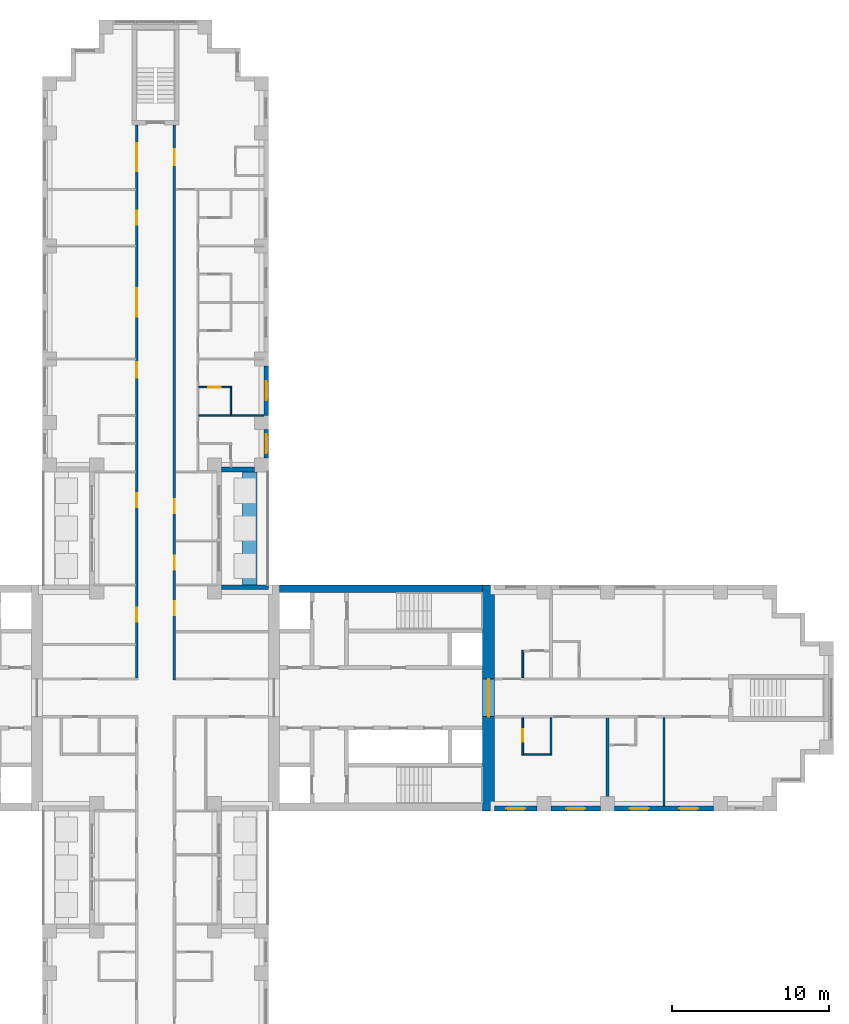
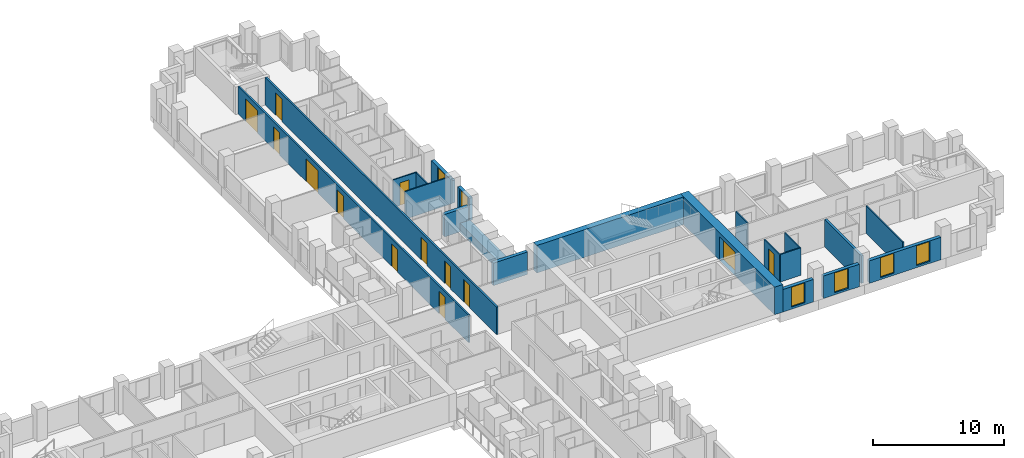
# One storey, part 9 of 15: 21 walls, 13 doors, 6 windows, 19 openings.
"""IFC4 building model written with IfcOpenShell, lengths in metres."""

from ifc_helpers import new_model, si_unit, direction, frame, frame_2d, origin, place, context, subcontext, project, spatial, rectangle, extrude, material, layer, layer_set, type_object, element, fill, save


model = new_model("IFC4")

# Units and contexts
model_context = context("Model", 3, precision=1e-05, world=origin(), true_north=direction((0.0, 1.0)))
body_context = subcontext(model_context, "Body", "Model", "MODEL_VIEW")
ifc_project = project(units=[si_unit("LENGTHUNIT", "METRE"), si_unit("AREAUNIT", "SQUARE_METRE"), si_unit("VOLUMEUNIT", "CUBIC_METRE"), si_unit("PLANEANGLEUNIT", "RADIAN"), si_unit("MASSUNIT", "GRAM", prefix="KILO")], contexts=[model_context])

# Site, building, storey
site_placement = place(None, origin())
site = spatial("IfcSite", under=ifc_project, at=site_placement, CompositionType="ELEMENT")
building_placement = place(site_placement, origin())
building = spatial("IfcBuilding", under=site, at=building_placement, Name="Fustian Cross Tower", CompositionType="ELEMENT")
storey_placement = place(building_placement, frame((0.0, 0.0, 38.699951171875)))
storey = spatial("IfcBuildingStorey", under=building, at=storey_placement, Name="L11", CompositionType="ELEMENT", Elevation=38.699951171875)

# Wall, openings, doors
ifc_material_1 = material(Name="Plasterboard on steel stud", Category="steel")
ifc_layer_1 = layer(ifc_material_1, 0.14990234375)
ifc_layer_set_1 = layer_set([ifc_layer_1], Name="Plasterboard on steel stud")
wall_type_1 = type_object("IfcWallType", Name="COMPARTMENT WALL 150 EI 60", PredefinedType="PARTITIONING", material=ifc_layer_set_1)
wall_1_placement = place(storey_placement, frame((-1.199951171875, 1.27490234375, 0.0), z_axis=(0.0, 0.0, 1.0), x_axis=(0.0, 1.0, 0.0)))
wall_1 = element("IfcWall", 1, at=wall_1_placement, inside=storey, type_object=wall_type_1, Name="Partition 39", PredefinedType="PARTITIONING", context=body_context, shape_type="SweptSolid", body=[
    extrude(rectangle(XDim=35.22509765625, YDim=0.14990234375, at=frame_2d((17.612548828125, 0.0))), origin(), (0.0, 0.0, 1.0), 2.574951171875),
])
opening_1_placement = place(wall_1_placement, frame((3.574951171875, 0.0, 0.0)))
opening_1 = element("IfcOpeningElement", 2, at=opening_1_placement, cuts=wall_1, Name="Opening D07004", PredefinedType="OPENING", context=body_context, shape_type="SweptSolid", body=[
    extrude(rectangle(XDim=0.89990234375, YDim=2.10009765625, at=frame_2d((0.449951171875, 1.050048828125))), frame((0.0, 0.0849609375, 0.0), z_axis=(0.0, -1.0, 0.0), x_axis=(1.0, 0.0, 0.0)), (0.0, 0.0, 1.0), 0.169921875),
])
opening_2_placement = place(wall_1_placement, frame((10.875, 0.0, 0.0)))
opening_2 = element("IfcOpeningElement", 3, at=opening_2_placement, cuts=wall_1, Name="Opening D07020", PredefinedType="OPENING", context=body_context, shape_type="SweptSolid", body=[
    extrude(rectangle(XDim=0.89990234375, YDim=2.10009765625, at=frame_2d((0.449951171875, 1.050048828125))), frame((0.0, 0.0849609375, 0.0), z_axis=(0.0, -1.0, 0.0), x_axis=(1.0, 0.0, 0.0)), (0.0, 0.0, 1.0), 0.169921875),
])
opening_3_placement = place(wall_1_placement, frame((19.125, 0.0, 0.0)))
opening_3 = element("IfcOpeningElement", 4, at=opening_3_placement, cuts=wall_1, Name="Opening D07022", PredefinedType="OPENING", context=body_context, shape_type="SweptSolid", body=[
    extrude(rectangle(XDim=1.0, YDim=2.10009765625, at=frame_2d((0.5, 1.050048828125))), frame((0.0, 0.0849609375, 0.0), z_axis=(0.0, -1.0, 0.0), x_axis=(1.0, 0.0, 0.0)), (0.0, 0.0, 1.0), 0.169921875),
])
opening_4_placement = place(wall_1_placement, frame((23.02490234375, 0.0, 0.0)))
opening_4 = element("IfcOpeningElement", 5, at=opening_4_placement, cuts=wall_1, Name="Opening D07023", PredefinedType="OPENING", context=body_context, shape_type="SweptSolid", body=[
    extrude(rectangle(XDim=1.800048828125, YDim=2.10009765625, at=frame_2d((0.89990234375, 1.050048828125))), frame((0.0, 0.0849609375, 0.0), z_axis=(0.0, -1.0, 0.0), x_axis=(1.0, 0.0, 0.0)), (0.0, 0.0, 1.0), 0.169921875),
])
opening_5_placement = place(wall_1_placement, frame((28.875, 0.0, 0.0)))
opening_5 = element("IfcOpeningElement", 6, at=opening_5_placement, cuts=wall_1, Name="Opening D07024", PredefinedType="OPENING", context=body_context, shape_type="SweptSolid", body=[
    extrude(rectangle(XDim=0.89990234375, YDim=2.10009765625, at=frame_2d((0.449951171875, 1.050048828125))), frame((0.0, 0.0849609375, 0.0), z_axis=(0.0, -1.0, 0.0), x_axis=(1.0, 0.0, 0.0)), (0.0, 0.0, 1.0), 0.169921875),
])
opening_6_placement = place(wall_1_placement, frame((32.27490234375, 0.0, 0.0)))
opening_6 = element("IfcOpeningElement", 7, at=opening_6_placement, cuts=wall_1, Name="Opening D07025", PredefinedType="OPENING", context=body_context, shape_type="SweptSolid", body=[
    extrude(rectangle(XDim=1.800048828125, YDim=2.10009765625, at=frame_2d((0.89990234375, 1.050048828125))), frame((0.0, 0.0849609375, 0.0), z_axis=(0.0, -1.0, 0.0), x_axis=(1.0, 0.0, 0.0)), (0.0, 0.0, 1.0), 0.169921875),
])
ifc_material_2 = material(Name="Timber fire door set", Category="wood")
door_type_1 = type_object("IfcDoorType", Name="FIRE DOUBLE DOOR 1800 FD30S", OperationType="DOUBLE_DOOR_DOUBLE_SWING", PredefinedType="DOOR", material=ifc_material_2)
door_1_placement = place(opening_4_placement, frame((1.800048828125, 0.0, 0.0), z_axis=(0.0, 0.0, 1.0), x_axis=(-1.0, 0.0, 0.0)))
door_1 = element("IfcDoor", 8, at=door_1_placement, inside=storey, type_object=door_type_1, Name="Door D07023", OperationType="DOUBLE_DOOR_DOUBLE_SWING", OverallHeight=2.10009765625, OverallWidth=1.800048828125, PredefinedType="DOOR", context=body_context, shape_type="SweptSolid", body=[
    extrude(rectangle(XDim=1.800048828125, YDim=2.10009765625, at=frame_2d((0.89990234375, 1.050048828125))), frame((0.0, 0.02490234375, 0.0), z_axis=(0.0, -1.0, 0.0), x_axis=(1.0, 0.0, 0.0)), (0.0, 0.0, 1.0), 0.050048828125),
])
fill(opening_4, door_1)
door_2_placement = place(opening_6_placement, frame((1.800048828125, 0.0, 0.0), z_axis=(0.0, 0.0, 1.0), x_axis=(-1.0, 0.0, 0.0)))
door_2 = element("IfcDoor", 9, at=door_2_placement, inside=storey, type_object=door_type_1, Name="Door D07025", OperationType="DOUBLE_DOOR_DOUBLE_SWING", OverallHeight=2.10009765625, OverallWidth=1.800048828125, PredefinedType="DOOR", context=body_context, shape_type="SweptSolid", body=[
    extrude(rectangle(XDim=1.800048828125, YDim=2.10009765625, at=frame_2d((0.89990234375, 1.050048828125))), frame((0.0, 0.02490234375, 0.0), z_axis=(0.0, -1.0, 0.0), x_axis=(1.0, 0.0, 0.0)), (0.0, 0.0, 1.0), 0.050048828125),
])
fill(opening_6, door_2)
ifc_material_3 = material(Name="Timber fire door set", Category="wood")
door_type_2 = type_object("IfcDoorType", Name="FIRE SWING DOOR 1000 FD30S", OperationType="SINGLE_SWING_LEFT", PredefinedType="DOOR", material=ifc_material_3)
door_3_placement = place(opening_3_placement, origin())
door_3 = element("IfcDoor", 10, at=door_3_placement, inside=storey, type_object=door_type_2, Name="Door D07022", OperationType="SINGLE_SWING_RIGHT", OverallHeight=2.10009765625, OverallWidth=1.0, PredefinedType="DOOR", context=body_context, shape_type="SweptSolid", body=[
    extrude(rectangle(XDim=1.0, YDim=2.10009765625, at=frame_2d((0.5, 1.050048828125))), frame((0.0, 0.02490234375, 0.0), z_axis=(0.0, -1.0, 0.0), x_axis=(1.0, 0.0, 0.0)), (0.0, 0.0, 1.0), 0.050048828125),
])
fill(opening_3, door_3)
ifc_material_4 = material(Name="Timber fire door set", Category="wood")
door_type_3 = type_object("IfcDoorType", Name="FIRE SWING DOOR 900 FD30S", OperationType="SINGLE_SWING_LEFT", PredefinedType="DOOR", material=ifc_material_4)
door_4_placement = place(opening_1_placement, origin())
door_4 = element("IfcDoor", 11, at=door_4_placement, inside=storey, type_object=door_type_3, Name="Door D07004", OperationType="SINGLE_SWING_RIGHT", OverallHeight=2.10009765625, OverallWidth=0.89990234375, PredefinedType="DOOR", context=body_context, shape_type="SweptSolid", body=[
    extrude(rectangle(XDim=0.89990234375, YDim=2.10009765625, at=frame_2d((0.449951171875, 1.050048828125))), frame((0.0, 0.02490234375, 0.0), z_axis=(0.0, -1.0, 0.0), x_axis=(1.0, 0.0, 0.0)), (0.0, 0.0, 1.0), 0.050048828125),
])
fill(opening_1, door_4)
door_5_placement = place(opening_2_placement, origin())
door_5 = element("IfcDoor", 12, at=door_5_placement, inside=storey, type_object=door_type_3, Name="Door D07020", OperationType="SINGLE_SWING_RIGHT", OverallHeight=2.10009765625, OverallWidth=0.89990234375, PredefinedType="DOOR", context=body_context, shape_type="SweptSolid", body=[
    extrude(rectangle(XDim=0.89990234375, YDim=2.10009765625, at=frame_2d((0.449951171875, 1.050048828125))), frame((0.0, 0.02490234375, 0.0), z_axis=(0.0, -1.0, 0.0), x_axis=(1.0, 0.0, 0.0)), (0.0, 0.0, 1.0), 0.050048828125),
])
fill(opening_2, door_5)
door_6_placement = place(opening_5_placement, origin())
door_6 = element("IfcDoor", 13, at=door_6_placement, inside=storey, type_object=door_type_3, Name="Door D07024", OperationType="SINGLE_SWING_LEFT", OverallHeight=2.10009765625, OverallWidth=0.89990234375, PredefinedType="DOOR", context=body_context, shape_type="SweptSolid", body=[
    extrude(rectangle(XDim=0.89990234375, YDim=2.10009765625, at=frame_2d((0.449951171875, 1.050048828125))), frame((0.0, 0.02490234375, 0.0), z_axis=(0.0, -1.0, 0.0), x_axis=(1.0, 0.0, 0.0)), (0.0, 0.0, 1.0), 0.050048828125),
])
fill(opening_5, door_6)

wall_2_placement = place(storey_placement, frame((1.199951171875, 1.125, 0.0), z_axis=(0.0, 0.0, 1.0), x_axis=(0.0, 1.0, 0.0)))
wall_2 = element("IfcWall", 14, at=wall_2_placement, inside=storey, type_object=wall_type_1, Name="Partition 52", PredefinedType="PARTITIONING", context=body_context, shape_type="SweptSolid", body=[
    extrude(rectangle(XDim=35.375, YDim=0.14990234375, at=frame_2d((17.6875, 0.0))), origin(), (0.0, 0.0, 1.0), 2.574951171875),
])
opening_7_placement = place(wall_2_placement, frame((4.125, 0.0, 0.0)))
opening_7 = element("IfcOpeningElement", 15, at=opening_7_placement, cuts=wall_2, Name="Opening D07002", PredefinedType="OPENING", context=body_context, shape_type="SweptSolid", body=[
    extrude(rectangle(XDim=0.89990234375, YDim=2.10009765625, at=frame_2d((0.449951171875, 1.050048828125))), frame((0.0, 0.0849609375, 0.0), z_axis=(0.0, -1.0, 0.0), x_axis=(1.0, 0.0, 0.0)), (0.0, 0.0, 1.0), 0.169921875),
])
opening_8_placement = place(wall_2_placement, frame((7.02490234375, 0.0, 0.0)))
opening_8 = element("IfcOpeningElement", 16, at=opening_8_placement, cuts=wall_2, Name="Opening D07026", PredefinedType="OPENING", context=body_context, shape_type="SweptSolid", body=[
    extrude(rectangle(XDim=0.89990234375, YDim=2.10009765625, at=frame_2d((0.449951171875, 1.050048828125))), frame((0.0, 0.0849609375, 0.0), z_axis=(0.0, -1.0, 0.0), x_axis=(1.0, 0.0, 0.0)), (0.0, 0.0, 1.0), 0.169921875),
])
opening_9_placement = place(wall_2_placement, frame((10.625, 0.0, 0.0)))
opening_9 = element("IfcOpeningElement", 17, at=opening_9_placement, cuts=wall_2, Name="Opening D07027", PredefinedType="OPENING", context=body_context, shape_type="SweptSolid", body=[
    extrude(rectangle(XDim=0.89990234375, YDim=2.10009765625, at=frame_2d((0.449951171875, 1.050048828125))), frame((0.0, 0.0849609375, 0.0), z_axis=(0.0, -1.0, 0.0), x_axis=(1.0, 0.0, 0.0)), (0.0, 0.0, 1.0), 0.169921875),
])
opening_10_placement = place(wall_2_placement, frame((32.824951171875, 0.0, 0.0)))
opening_10 = element("IfcOpeningElement", 18, at=opening_10_placement, cuts=wall_2, Name="Opening D07029", PredefinedType="OPENING", context=body_context, shape_type="SweptSolid", body=[
    extrude(rectangle(XDim=1.0, YDim=2.10009765625, at=frame_2d((0.5, 1.050048828125))), frame((0.0, 0.0849609375, 0.0), z_axis=(0.0, -1.0, 0.0), x_axis=(1.0, 0.0, 0.0)), (0.0, 0.0, 1.0), 0.169921875),
])
door_7_placement = place(opening_10_placement, frame((1.0, 0.0, 0.0), z_axis=(0.0, 0.0, 1.0), x_axis=(-1.0, 0.0, 0.0)))
door_7 = element("IfcDoor", 19, at=door_7_placement, inside=storey, type_object=door_type_2, Name="Door D07029", OperationType="SINGLE_SWING_RIGHT", OverallHeight=2.10009765625, OverallWidth=1.0, PredefinedType="DOOR", context=body_context, shape_type="SweptSolid", body=[
    extrude(rectangle(XDim=1.0, YDim=2.10009765625, at=frame_2d((0.5, 1.050048828125))), frame((0.0, 0.02490234375, 0.0), z_axis=(0.0, -1.0, 0.0), x_axis=(1.0, 0.0, 0.0)), (0.0, 0.0, 1.0), 0.050048828125),
])
fill(opening_10, door_7)
door_8_placement = place(opening_7_placement, frame((0.89990234375, 0.0, 0.0), z_axis=(0.0, 0.0, 1.0), x_axis=(-1.0, 0.0, 0.0)))
door_8 = element("IfcDoor", 20, at=door_8_placement, inside=storey, type_object=door_type_3, Name="Door D07002", OperationType="SINGLE_SWING_LEFT", OverallHeight=2.10009765625, OverallWidth=0.89990234375, PredefinedType="DOOR", context=body_context, shape_type="SweptSolid", body=[
    extrude(rectangle(XDim=0.89990234375, YDim=2.10009765625, at=frame_2d((0.449951171875, 1.050048828125))), frame((0.0, 0.02490234375, 0.0), z_axis=(0.0, -1.0, 0.0), x_axis=(1.0, 0.0, 0.0)), (0.0, 0.0, 1.0), 0.050048828125),
])
fill(opening_7, door_8)
door_9_placement = place(opening_8_placement, frame((0.89990234375, 0.0, 0.0), z_axis=(0.0, 0.0, 1.0), x_axis=(-1.0, 0.0, 0.0)))
door_9 = element("IfcDoor", 21, at=door_9_placement, inside=storey, type_object=door_type_3, Name="Door D07026", OperationType="SINGLE_SWING_RIGHT", OverallHeight=2.10009765625, OverallWidth=0.89990234375, PredefinedType="DOOR", context=body_context, shape_type="SweptSolid", body=[
    extrude(rectangle(XDim=0.89990234375, YDim=2.10009765625, at=frame_2d((0.449951171875, 1.050048828125))), frame((0.0, 0.02490234375, 0.0), z_axis=(0.0, -1.0, 0.0), x_axis=(1.0, 0.0, 0.0)), (0.0, 0.0, 1.0), 0.050048828125),
])
fill(opening_8, door_9)
door_10_placement = place(opening_9_placement, frame((0.89990234375, 0.0, 0.0), z_axis=(0.0, 0.0, 1.0), x_axis=(-1.0, 0.0, 0.0)))
door_10 = element("IfcDoor", 22, at=door_10_placement, inside=storey, type_object=door_type_3, Name="Door D07027", OperationType="SINGLE_SWING_RIGHT", OverallHeight=2.10009765625, OverallWidth=0.89990234375, PredefinedType="DOOR", context=body_context, shape_type="SweptSolid", body=[
    extrude(rectangle(XDim=0.89990234375, YDim=2.10009765625, at=frame_2d((0.449951171875, 1.050048828125))), frame((0.0, 0.02490234375, 0.0), z_axis=(0.0, -1.0, 0.0), x_axis=(1.0, 0.0, 0.0)), (0.0, 0.0, 1.0), 0.050048828125),
])
fill(opening_9, door_10)

# Wall, opening, door
ifc_material_5 = material(Name="Concrete C80/95", Category="concrete")
ifc_layer_2 = layer(ifc_material_5, 0.75)
ifc_layer_set_2 = layer_set([ifc_layer_2], Name="Concrete C80/95")
wall_type_2 = type_object("IfcWallType", Name="CORE END WALL 750 C80/95", PredefinedType="SHEAR", material=ifc_layer_set_2)
wall_3_placement = place(storey_placement, frame((21.22509765625, -7.199951171875, 0.0), z_axis=(0.0, 0.0, 1.0), x_axis=(0.0, 1.0, 0.0)))
wall_3 = element("IfcWall", 23, at=wall_3_placement, inside=storey, type_object=wall_type_2, Name="Core end wall", PredefinedType="SHEAR", context=body_context, shape_type="SweptSolid", body=[
    extrude(rectangle(XDim=14.39990234375, YDim=0.75, at=frame_2d((7.199951171875, 0.0))), origin(), (0.0, 0.0, 1.0), 2.574951171875),
])
opening_11_placement = place(wall_3_placement, frame((6.0, 0.0, 0.0)))
opening_11 = element("IfcOpeningElement", 24, at=opening_11_placement, cuts=wall_3, Name="Opening CD-04-13", PredefinedType="OPENING", context=body_context, shape_type="SweptSolid", body=[
    extrude(rectangle(XDim=2.39990234375, YDim=2.199951171875, at=frame_2d((1.199951171875, 1.10009765625))), frame((0.0, 0.385009765625, 0.0), z_axis=(0.0, -1.0, 0.0), x_axis=(1.0, 0.0, 0.0)), (0.0, 0.0, 1.0), 0.77001953125),
])
ifc_material_6 = material(Name="Steel", Category="steel")
door_type_4 = type_object("IfcDoorType", Name="FIRE DOOR FD30S DOUBLE 2400X2200", OperationType="DOUBLE_DOOR_DOUBLE_SWING", PredefinedType="DOOR", material=ifc_material_6)
door_11_placement = place(opening_11_placement, origin())
door_11 = element("IfcDoor", 25, at=door_11_placement, inside=storey, type_object=door_type_4, Name="Core door CD-04-13", OperationType="DOUBLE_DOOR_DOUBLE_SWING", OverallHeight=2.199951171875, OverallWidth=2.39990234375, PredefinedType="DOOR", context=body_context, shape_type="SweptSolid", body=[
    extrude(rectangle(XDim=2.39990234375, YDim=2.199951171875, at=frame_2d((1.199951171875, 1.10009765625))), frame((0.0, 0.02490234375, 0.0), z_axis=(0.0, -1.0, 0.0), x_axis=(1.0, 0.0, 0.0)), (0.0, 0.0, 1.0), 0.050048828125),
])
fill(opening_11, door_11)

# Walls
ifc_material_7 = material(Name="Concrete C80/95", Category="concrete")
ifc_layer_3 = layer(ifc_material_7, 0.5)
ifc_layer_set_3 = layer_set([ifc_layer_3], Name="Concrete C80/95")
wall_type_3 = type_object("IfcWallType", Name="CORE FACADE WALL 500 C80/95", PredefinedType="SHEAR", material=ifc_layer_set_3)
wall_4_placement = place(storey_placement, frame((7.89990234375, 6.949951171875, 0.0), z_axis=(0.0, 0.0, 1.0), x_axis=(1.0, 0.0, 0.0)))
element("IfcWall", 26, at=wall_4_placement, inside=storey, type_object=wall_type_3, Name="Core facade wall", PredefinedType="SHEAR", context=body_context, shape_type="SweptSolid", body=[
    extrude(rectangle(XDim=12.9501953125, YDim=0.5, at=frame_2d((6.47509765625, 0.0))), origin(), (0.0, 0.0, 1.0), 2.574951171875),
])
ifc_material_8 = material(Name="Plasterboard on steel stud", Category="steel")
ifc_layer_4 = layer(ifc_material_8, 0.10009765625)
ifc_layer_set_4 = layer_set([ifc_layer_4], Name="Plasterboard on steel stud")
wall_type_4 = type_object("IfcWallType", Name="PARTITION 100 STUD", PredefinedType="PARTITIONING", material=ifc_layer_set_4)
wall_5_placement = place(storey_placement, frame((2.75, 18.0, 0.0), z_axis=(0.0, 0.0, 1.0), x_axis=(1.0, 0.0, 0.0)))
element("IfcWall", 27, at=wall_5_placement, inside=storey, type_object=wall_type_4, Name="Partition 62", PredefinedType="PARTITIONING", context=body_context, shape_type="SweptSolid", body=[
    extrude(rectangle(XDim=4.14990234375, YDim=0.10009765625, at=frame_2d((2.074951171875, 0.0))), origin(), (0.0, 0.0, 1.0), 2.574951171875),
])

# Wall, opening, door
wall_6_placement = place(storey_placement, frame((2.75, 19.800048828125, 0.0), z_axis=(0.0, 0.0, 1.0), x_axis=(1.0, 0.0, 0.0)))
wall_6 = element("IfcWall", 28, at=wall_6_placement, inside=storey, type_object=wall_type_4, Name="Partition 63", PredefinedType="PARTITIONING", context=body_context, shape_type="SweptSolid", body=[
    extrude(rectangle(XDim=2.10009765625, YDim=0.10009765625, at=frame_2d((1.050048828125, 0.0))), origin(), (0.0, 0.0, 1.0), 2.574951171875),
])
opening_12_placement = place(wall_6_placement, frame((0.60009765625, 0.0, 0.0)))
opening_12 = element("IfcOpeningElement", 29, at=opening_12_placement, cuts=wall_6, Name="Opening D07037", PredefinedType="OPENING", context=body_context, shape_type="SweptSolid", body=[
    extrude(rectangle(XDim=0.800048828125, YDim=2.10009765625, at=frame_2d((0.39990234375, 1.050048828125))), frame((0.0, 0.06005859375, 0.0), z_axis=(0.0, -1.0, 0.0), x_axis=(1.0, 0.0, 0.0)), (0.0, 0.0, 1.0), 0.1201171875),
])
ifc_material_9 = material(Name="Painted timber", Category="wood")
door_type_5 = type_object("IfcDoorType", Name="SWING DOOR 800", OperationType="SINGLE_SWING_LEFT", PredefinedType="DOOR", material=ifc_material_9)
door_12_placement = place(opening_12_placement, frame((0.800048828125, 0.0, 0.0), z_axis=(0.0, 0.0, 1.0), x_axis=(-1.0, 0.0, 0.0)))
door_12 = element("IfcDoor", 30, at=door_12_placement, inside=storey, type_object=door_type_5, Name="Door D07037", OperationType="SINGLE_SWING_RIGHT", OverallHeight=2.10009765625, OverallWidth=0.800048828125, PredefinedType="DOOR", context=body_context, shape_type="SweptSolid", body=[
    extrude(rectangle(XDim=0.800048828125, YDim=2.10009765625, at=frame_2d((0.39990234375, 1.050048828125))), frame((0.0, 0.02490234375, 0.0), z_axis=(0.0, -1.0, 0.0), x_axis=(1.0, 0.0, 0.0)), (0.0, 0.0, 1.0), 0.050048828125),
])
fill(opening_12, door_12)

# Wall
wall_7_placement = place(storey_placement, frame((4.800048828125, 18.050048828125, 0.0), z_axis=(0.0, 0.0, 1.0), x_axis=(0.0, 1.0, 0.0)))
element("IfcWall", 31, at=wall_7_placement, inside=storey, type_object=wall_type_4, Name="Partition 74", PredefinedType="PARTITIONING", context=body_context, shape_type="SweptSolid", body=[
    extrude(rectangle(XDim=1.699951171875, YDim=0.10009765625, at=frame_2d((0.85009765625, 0.0))), origin(), (0.0, 0.0, 1.0), 2.574951171875),
])

# Wall, opening, door
wall_8_placement = place(storey_placement, frame((23.39990234375, -3.64990234375, 0.0), z_axis=(0.0, 0.0, 1.0), x_axis=(0.0, 1.0, 0.0)))
wall_8 = element("IfcWall", 32, at=wall_8_placement, inside=storey, type_object=wall_type_4, Name="Partition 82", PredefinedType="PARTITIONING", context=body_context, shape_type="SweptSolid", body=[
    extrude(rectangle(XDim=2.375, YDim=0.10009765625, at=frame_2d((1.1875, 0.0))), origin(), (0.0, 0.0, 1.0), 2.574951171875),
])
opening_13_placement = place(wall_8_placement, frame((0.85009765625, 0.0, 0.0)))
opening_13 = element("IfcOpeningElement", 33, at=opening_13_placement, cuts=wall_8, Name="Opening D07015", PredefinedType="OPENING", context=body_context, shape_type="SweptSolid", body=[
    extrude(rectangle(XDim=0.800048828125, YDim=2.10009765625, at=frame_2d((0.39990234375, 1.050048828125))), frame((0.0, 0.06005859375, 0.0), z_axis=(0.0, -1.0, 0.0), x_axis=(1.0, 0.0, 0.0)), (0.0, 0.0, 1.0), 0.1201171875),
])
door_13_placement = place(opening_13_placement, frame((0.800048828125, 0.0, 0.0), z_axis=(0.0, 0.0, 1.0), x_axis=(-1.0, 0.0, 0.0)))
door_13 = element("IfcDoor", 34, at=door_13_placement, inside=storey, type_object=door_type_5, Name="Door D07015", OperationType="SINGLE_SWING_RIGHT", OverallHeight=2.10009765625, OverallWidth=0.800048828125, PredefinedType="DOOR", context=body_context, shape_type="SweptSolid", body=[
    extrude(rectangle(XDim=0.800048828125, YDim=2.10009765625, at=frame_2d((0.39990234375, 1.050048828125))), frame((0.0, 0.02490234375, 0.0), z_axis=(0.0, -1.0, 0.0), x_axis=(1.0, 0.0, 0.0)), (0.0, 0.0, 1.0), 0.050048828125),
])
fill(opening_13, door_13)

# Walls
wall_9_placement = place(storey_placement, frame((23.449951171875, -3.60009765625, 0.0), z_axis=(0.0, 0.0, 1.0), x_axis=(1.0, 0.0, 0.0)))
element("IfcWall", 35, at=wall_9_placement, inside=storey, type_object=wall_type_4, Name="Partition 83", PredefinedType="PARTITIONING", context=body_context, shape_type="SweptSolid", body=[
    extrude(rectangle(XDim=1.800048828125, YDim=0.10009765625, at=frame_2d((0.89990234375, 0.0))), origin(), (0.0, 0.0, 1.0), 2.574951171875),
])
wall_10_placement = place(storey_placement, frame((23.39990234375, 1.27490234375, 0.0), z_axis=(0.0, 0.0, 1.0), x_axis=(0.0, 1.0, 0.0)))
element("IfcWall", 36, at=wall_10_placement, inside=storey, type_object=wall_type_4, Name="Partition 84", PredefinedType="PARTITIONING", context=body_context, shape_type="SweptSolid", body=[
    extrude(rectangle(XDim=1.775146484375, YDim=0.10009765625, at=frame_2d((0.8876953125, 0.0))), origin(), (0.0, 0.0, 1.0), 2.574951171875),
])
wall_11_placement = place(storey_placement, frame((25.199951171875, -3.550048828125, 0.0), z_axis=(0.0, 0.0, 1.0), x_axis=(0.0, 1.0, 0.0)))
element("IfcWall", 37, at=wall_11_placement, inside=storey, type_object=wall_type_4, Name="Partition 86", PredefinedType="PARTITIONING", context=body_context, shape_type="SweptSolid", body=[
    extrude(rectangle(XDim=2.275146484375, YDim=0.10009765625, at=frame_2d((1.1376953125, 0.0))), origin(), (0.0, 0.0, 1.0), 2.574951171875),
])
wall_12_placement = place(storey_placement, frame((32.39990234375, -6.89990234375, 0.0), z_axis=(0.0, 0.0, 1.0), x_axis=(0.0, 1.0, 0.0)))
element("IfcWall", 38, at=wall_12_placement, inside=storey, type_object=wall_type_4, Name="Partition 93", PredefinedType="PARTITIONING", context=body_context, shape_type="SweptSolid", body=[
    extrude(rectangle(XDim=5.625, YDim=0.10009765625, at=frame_2d((2.8125, 0.0))), origin(), (0.0, 0.0, 1.0), 2.574951171875),
])
ifc_material_10 = material(Name="Plasterboard on steel stud", Category="steel")
ifc_layer_5 = layer(ifc_material_10, 0.199951171875)
ifc_layer_set_5 = layer_set([ifc_layer_5], Name="Plasterboard on steel stud")
wall_type_5 = type_object("IfcWallType", Name="PARTY WALL 200 EI 60", PredefinedType="PARTITIONING", material=ifc_layer_set_5)
wall_13_placement = place(storey_placement, frame((28.800048828125, -6.89990234375, 0.0), z_axis=(0.0, 0.0, 1.0), x_axis=(0.0, 1.0, 0.0)))
element("IfcWall", 39, at=wall_13_placement, inside=storey, type_object=wall_type_5, Name="Partition 90", PredefinedType="PARTITIONING", context=body_context, shape_type="SweptSolid", body=[
    extrude(rectangle(XDim=5.625, YDim=0.199951171875, at=frame_2d((2.8125, 0.0))), origin(), (0.0, 0.0, 1.0), 2.574951171875),
])
ifc_material_11 = material(Name="Concrete C40/50", Category="concrete")
ifc_layer_6 = layer(ifc_material_11, 0.89990234375)
ifc_layer_set_6 = layer_set([ifc_layer_6], Name="Concrete C40/50")
wall_type_6 = type_object("IfcWallType", Name="PK1 PLANTER 900", PredefinedType="PARAPET", material=ifc_layer_set_6)
wall_14_placement = place(storey_placement, frame((6.0, 7.199951171875, 0.0), z_axis=(0.0, 0.0, 1.0), x_axis=(0.0, 1.0, 0.0)))
element("IfcWall", 40, at=wall_14_placement, inside=storey, type_object=wall_type_6, Name="PLANTER", PredefinedType="PARAPET", context=body_context, shape_type="SweptSolid", body=[
    extrude(rectangle(XDim=7.199951171875, YDim=0.89990234375, at=frame_2d((3.60009765625, 0.0))), origin(), (0.0, 0.0, 1.0), 0.800048828125),
])

# Wall, opening, window
ifc_material_12 = material(Name="Dark aluminium cladding on insulated backing wall", Category="aluminium")
ifc_layer_7 = layer(ifc_material_12, 0.300048828125)
ifc_layer_set_7 = layer_set([ifc_layer_7], Name="Dark aluminium cladding on insulated backing wall")
wall_type_7 = type_object("IfcWallType", Name="XW1 EXTERNAL WALL 300", PredefinedType="SOLIDWALL", material=ifc_layer_set_7)
wall_15_placement = place(storey_placement, frame((21.60009765625, -7.050048828125, 0.0), z_axis=(0.0, 0.0, 1.0), x_axis=(1.0, 0.0, 0.0)))
wall_15 = element("IfcWall", 41, at=wall_15_placement, inside=storey, type_object=wall_type_7, Name="External wall", PredefinedType="SOLIDWALL", context=body_context, shape_type="SweptSolid", body=[
    extrude(rectangle(XDim=2.699951171875, YDim=0.300048828125, at=frame_2d((1.35009765625, 0.0))), origin(), (0.0, 0.0, 1.0), 2.10009765625),
])
opening_14_placement = place(wall_15_placement, frame((0.75, 0.0, 0.199951171875)))
opening_14 = element("IfcOpeningElement", 42, at=opening_14_placement, cuts=wall_15, Name="Opening WN3", PredefinedType="OPENING", context=body_context, shape_type="SweptSolid", body=[
    extrude(rectangle(XDim=1.199951171875, YDim=1.85009765625, at=frame_2d((0.60009765625, 0.925048828125))), frame((0.0, 0.159912109375, 0.0), z_axis=(0.0, -1.0, 0.0), x_axis=(1.0, 0.0, 0.0)), (0.0, 0.0, 1.0), 0.320068359375),
])
ifc_material_13 = material(Name="Dark anodised aluminium and double glazing", Category="aluminium")
window_type = type_object("IfcWindowType", Name="WN3 WINDOW 1200X1850", PartitioningType="SINGLE_PANEL", PredefinedType="WINDOW", material=ifc_material_13)
window_1_placement = place(opening_14_placement, origin())
window_1 = element("IfcWindow", 43, at=window_1_placement, inside=storey, type_object=window_type, Name="Window", OverallHeight=1.85009765625, OverallWidth=1.199951171875, PartitioningType="SINGLE_PANEL", PredefinedType="WINDOW", context=body_context, shape_type="SweptSolid", body=[
    extrude(rectangle(XDim=1.199951171875, YDim=1.85009765625, at=frame_2d((0.60009765625, 0.925048828125))), frame((0.0, 0.030029296875, 0.0), z_axis=(0.0, -1.0, 0.0), x_axis=(1.0, 0.0, 0.0)), (0.0, 0.0, 1.0), 0.06005859375),
])
fill(opening_14, window_1)

wall_16_placement = place(storey_placement, frame((25.199951171875, -7.050048828125, 0.0), z_axis=(0.0, 0.0, 1.0), x_axis=(1.0, 0.0, 0.0)))
wall_16 = element("IfcWall", 44, at=wall_16_placement, inside=storey, type_object=wall_type_7, Name="External wall", PredefinedType="SOLIDWALL", context=body_context, shape_type="SweptSolid", body=[
    extrude(rectangle(XDim=3.150146484375, YDim=0.300048828125, at=frame_2d((1.5751953125, 0.0))), origin(), (0.0, 0.0, 1.0), 2.10009765625),
])
opening_15_placement = place(wall_16_placement, frame((0.97509765625, 0.0, 0.199951171875)))
opening_15 = element("IfcOpeningElement", 45, at=opening_15_placement, cuts=wall_16, Name="Opening WN3", PredefinedType="OPENING", context=body_context, shape_type="SweptSolid", body=[
    extrude(rectangle(XDim=1.199951171875, YDim=1.85009765625, at=frame_2d((0.60009765625, 0.925048828125))), frame((0.0, 0.159912109375, 0.0), z_axis=(0.0, -1.0, 0.0), x_axis=(1.0, 0.0, 0.0)), (0.0, 0.0, 1.0), 0.320068359375),
])
window_2_placement = place(opening_15_placement, origin())
window_2 = element("IfcWindow", 46, at=window_2_placement, inside=storey, type_object=window_type, Name="Window", OverallHeight=1.85009765625, OverallWidth=1.199951171875, PartitioningType="SINGLE_PANEL", PredefinedType="WINDOW", context=body_context, shape_type="SweptSolid", body=[
    extrude(rectangle(XDim=1.199951171875, YDim=1.85009765625, at=frame_2d((0.60009765625, 0.925048828125))), frame((0.0, 0.030029296875, 0.0), z_axis=(0.0, -1.0, 0.0), x_axis=(1.0, 0.0, 0.0)), (0.0, 0.0, 1.0), 0.06005859375),
])
fill(opening_15, window_2)

# Wall, openings, windows
wall_17_placement = place(storey_placement, frame((29.25, -7.050048828125, 0.0), z_axis=(0.0, 0.0, 1.0), x_axis=(1.0, 0.0, 0.0)))
wall_17 = element("IfcWall", 47, at=wall_17_placement, inside=storey, type_object=wall_type_7, Name="External wall", PredefinedType="SOLIDWALL", context=body_context, shape_type="SweptSolid", body=[
    extrude(rectangle(XDim=6.300048828125, YDim=0.300048828125, at=frame_2d((3.14990234375, 0.0))), origin(), (0.0, 0.0, 1.0), 2.10009765625),
])
opening_16_placement = place(wall_17_placement, frame((0.97509765625, 0.0, 0.199951171875)))
opening_16 = element("IfcOpeningElement", 48, at=opening_16_placement, cuts=wall_17, Name="Opening WN3", PredefinedType="OPENING", context=body_context, shape_type="SweptSolid", body=[
    extrude(rectangle(XDim=1.199951171875, YDim=1.85009765625, at=frame_2d((0.60009765625, 0.925048828125))), frame((0.0, 0.159912109375, 0.0), z_axis=(0.0, -1.0, 0.0), x_axis=(1.0, 0.0, 0.0)), (0.0, 0.0, 1.0), 0.320068359375),
])
opening_17_placement = place(wall_17_placement, frame((4.125, 0.0, 0.199951171875)))
opening_17 = element("IfcOpeningElement", 49, at=opening_17_placement, cuts=wall_17, Name="Opening WN3", PredefinedType="OPENING", context=body_context, shape_type="SweptSolid", body=[
    extrude(rectangle(XDim=1.199951171875, YDim=1.85009765625, at=frame_2d((0.60009765625, 0.925048828125))), frame((0.0, 0.159912109375, 0.0), z_axis=(0.0, -1.0, 0.0), x_axis=(1.0, 0.0, 0.0)), (0.0, 0.0, 1.0), 0.320068359375),
])
window_3_placement = place(opening_16_placement, origin())
window_3 = element("IfcWindow", 50, at=window_3_placement, inside=storey, type_object=window_type, Name="Window", OverallHeight=1.85009765625, OverallWidth=1.199951171875, PartitioningType="SINGLE_PANEL", PredefinedType="WINDOW", context=body_context, shape_type="SweptSolid", body=[
    extrude(rectangle(XDim=1.199951171875, YDim=1.85009765625, at=frame_2d((0.60009765625, 0.925048828125))), frame((0.0, 0.030029296875, 0.0), z_axis=(0.0, -1.0, 0.0), x_axis=(1.0, 0.0, 0.0)), (0.0, 0.0, 1.0), 0.06005859375),
])
fill(opening_16, window_3)
window_4_placement = place(opening_17_placement, origin())
window_4 = element("IfcWindow", 51, at=window_4_placement, inside=storey, type_object=window_type, Name="Window", OverallHeight=1.85009765625, OverallWidth=1.199951171875, PartitioningType="SINGLE_PANEL", PredefinedType="WINDOW", context=body_context, shape_type="SweptSolid", body=[
    extrude(rectangle(XDim=1.199951171875, YDim=1.85009765625, at=frame_2d((0.60009765625, 0.925048828125))), frame((0.0, 0.030029296875, 0.0), z_axis=(0.0, -1.0, 0.0), x_axis=(1.0, 0.0, 0.0)), (0.0, 0.0, 1.0), 0.06005859375),
])
fill(opening_17, window_4)

# Walls
wall_18_placement = place(storey_placement, frame((7.199951171875, 7.050048828125, 0.0), z_axis=(0.0, 0.0, 1.0), x_axis=(-1.0, 0.0, 0.0)))
element("IfcWall", 52, at=wall_18_placement, inside=storey, type_object=wall_type_7, Name="External wall", PredefinedType="SOLIDWALL", context=body_context, shape_type="SweptSolid", body=[
    extrude(rectangle(XDim=3.0, YDim=0.300048828125, at=frame_2d((1.5, 0.0))), origin(), (0.0, 0.0, 1.0), 2.10009765625),
])
wall_19_placement = place(storey_placement, frame((4.199951171875, 14.550048828125, 0.0), z_axis=(0.0, 0.0, 1.0), x_axis=(1.0, 0.0, 0.0)))
element("IfcWall", 53, at=wall_19_placement, inside=storey, type_object=wall_type_7, Name="External wall", PredefinedType="SOLIDWALL", context=body_context, shape_type="SweptSolid", body=[
    extrude(rectangle(XDim=2.10009765625, YDim=0.300048828125, at=frame_2d((1.050048828125, 0.0))), origin(), (0.0, 0.0, 1.0), 2.10009765625),
])

# Wall, opening, window
wall_20_placement = place(storey_placement, frame((7.050048828125, 15.300048828125, 0.0), z_axis=(0.0, 0.0, 1.0), x_axis=(0.0, 1.0, 0.0)))
wall_20 = element("IfcWall", 54, at=wall_20_placement, inside=storey, type_object=wall_type_7, Name="External wall", PredefinedType="SOLIDWALL", context=body_context, shape_type="SweptSolid", body=[
    extrude(rectangle(XDim=1.800048828125, YDim=0.300048828125, at=frame_2d((0.89990234375, 0.0))), origin(), (0.0, 0.0, 1.0), 2.10009765625),
])
opening_18_placement = place(wall_20_placement, frame((0.300048828125, 0.0, 0.199951171875)))
opening_18 = element("IfcOpeningElement", 55, at=opening_18_placement, cuts=wall_20, Name="Opening WN3", PredefinedType="OPENING", context=body_context, shape_type="SweptSolid", body=[
    extrude(rectangle(XDim=1.199951171875, YDim=1.85009765625, at=frame_2d((0.60009765625, 0.925048828125))), frame((0.0, 0.159912109375, 0.0), z_axis=(0.0, -1.0, 0.0), x_axis=(1.0, 0.0, 0.0)), (0.0, 0.0, 1.0), 0.320068359375),
])
window_5_placement = place(opening_18_placement, origin())
window_5 = element("IfcWindow", 56, at=window_5_placement, inside=storey, type_object=window_type, Name="Window", OverallHeight=1.85009765625, OverallWidth=1.199951171875, PartitioningType="SINGLE_PANEL", PredefinedType="WINDOW", context=body_context, shape_type="SweptSolid", body=[
    extrude(rectangle(XDim=1.199951171875, YDim=1.85009765625, at=frame_2d((0.60009765625, 0.925048828125))), frame((0.0, 0.030029296875, 0.0), z_axis=(0.0, -1.0, 0.0), x_axis=(1.0, 0.0, 0.0)), (0.0, 0.0, 1.0), 0.06005859375),
])
fill(opening_18, window_5)

wall_21_placement = place(storey_placement, frame((7.050048828125, 18.0, 0.0), z_axis=(0.0, 0.0, 1.0), x_axis=(0.0, 1.0, 0.0)))
wall_21 = element("IfcWall", 57, at=wall_21_placement, inside=storey, type_object=wall_type_7, Name="External wall", PredefinedType="SOLIDWALL", context=body_context, shape_type="SweptSolid", body=[
    extrude(rectangle(XDim=3.14990234375, YDim=0.300048828125, at=frame_2d((1.574951171875, 0.0))), origin(), (0.0, 0.0, 1.0), 2.10009765625),
])
opening_19_placement = place(wall_21_placement, frame((0.97509765625, 0.0, 0.199951171875)))
opening_19 = element("IfcOpeningElement", 58, at=opening_19_placement, cuts=wall_21, Name="Opening WN3", PredefinedType="OPENING", context=body_context, shape_type="SweptSolid", body=[
    extrude(rectangle(XDim=1.199951171875, YDim=1.85009765625, at=frame_2d((0.60009765625, 0.925048828125))), frame((0.0, 0.159912109375, 0.0), z_axis=(0.0, -1.0, 0.0), x_axis=(1.0, 0.0, 0.0)), (0.0, 0.0, 1.0), 0.320068359375),
])
window_6_placement = place(opening_19_placement, origin())
window_6 = element("IfcWindow", 59, at=window_6_placement, inside=storey, type_object=window_type, Name="Window", OverallHeight=1.85009765625, OverallWidth=1.199951171875, PartitioningType="SINGLE_PANEL", PredefinedType="WINDOW", context=body_context, shape_type="SweptSolid", body=[
    extrude(rectangle(XDim=1.199951171875, YDim=1.85009765625, at=frame_2d((0.60009765625, 0.925048828125))), frame((0.0, 0.030029296875, 0.0), z_axis=(0.0, -1.0, 0.0), x_axis=(1.0, 0.0, 0.0)), (0.0, 0.0, 1.0), 0.06005859375),
])
fill(opening_19, window_6)

save(model, "model.ifc")
